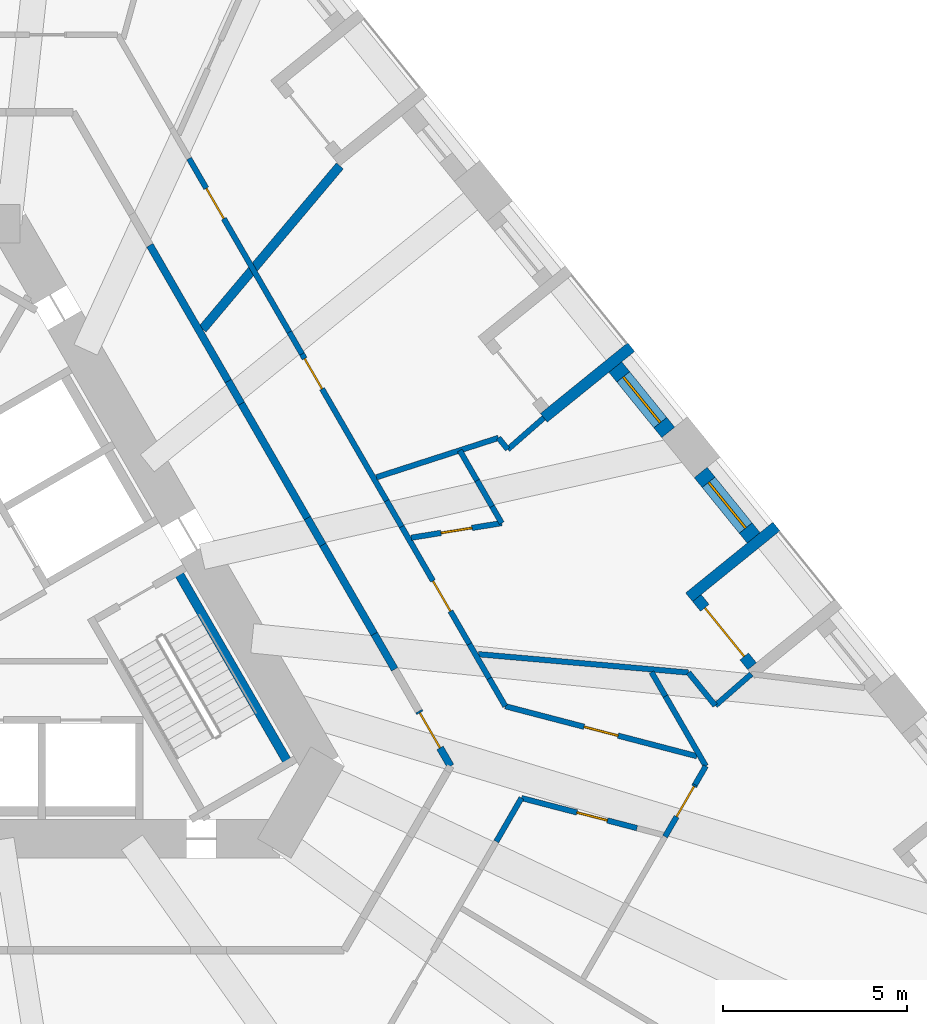
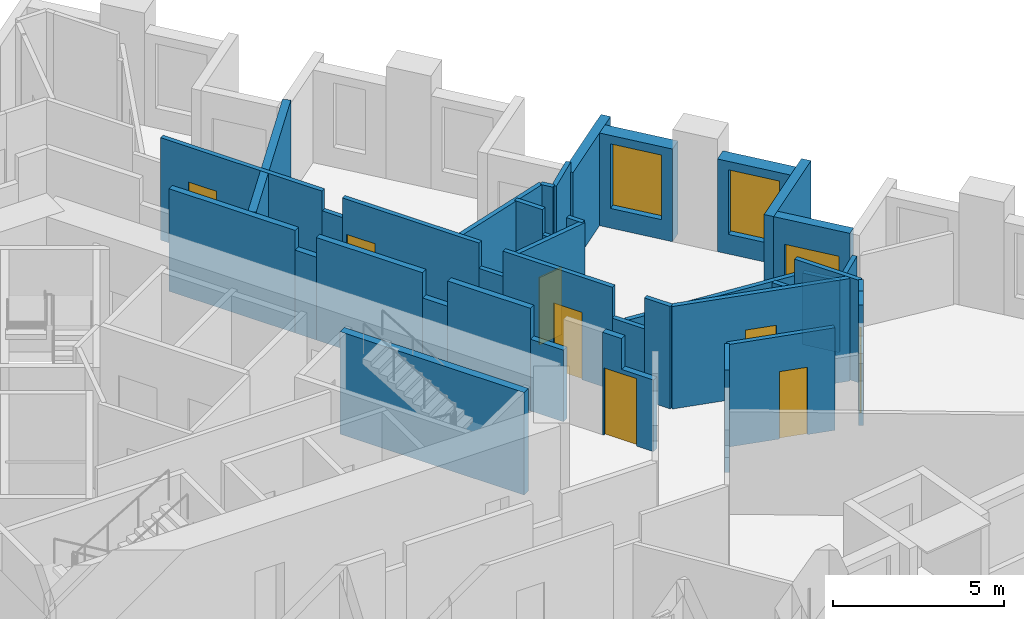
# One storey, part 7 of 14: 38 walls, 9 doors, 2 windows, 11 openings.
"""IFC4 building model written with IfcOpenShell, lengths in metres."""

from ifc_helpers import new_model, si_unit, direction, frame, frame_2d, origin, place, context, subcontext, project, spatial, polyline, rectangle, outline, extrude, material, layer, layer_set, type_object, element, fill, save


model = new_model("IFC4")

# Units and contexts
model_context = context("Model", 3, precision=1e-05, world=origin(), true_north=direction((0.0, 1.0)))
body_context = subcontext(model_context, "Body", "Model", "MODEL_VIEW")
ifc_project = project(units=[si_unit("LENGTHUNIT", "METRE"), si_unit("AREAUNIT", "SQUARE_METRE"), si_unit("VOLUMEUNIT", "CUBIC_METRE"), si_unit("PLANEANGLEUNIT", "RADIAN"), si_unit("MASSUNIT", "GRAM", prefix="KILO")], contexts=[model_context])

# Site, building, storey
site_placement = place(None, origin())
site = spatial("IfcSite", under=ifc_project, at=site_placement, CompositionType="ELEMENT")
building_placement = place(site_placement, origin())
building = spatial("IfcBuilding", under=site, at=building_placement, Name="Tramontana Tower", CompositionType="ELEMENT")
storey_placement = place(building_placement, frame((0.0, 0.0, 63.199951171875)))
storey = spatial("IfcBuildingStorey", under=building, at=storey_placement, Name="L13", CompositionType="ELEMENT", Elevation=63.199951171875)

# Walls
ifc_material_1 = material(Name="Blockwork", Category="masonry")
ifc_layer_1 = layer(ifc_material_1, 0.199951171875)
ifc_layer_set_1 = layer_set([ifc_layer_1], Name="ENTRY WALL 200")
wall_type_1 = type_object("IfcWallType", Name="ENTRY WALL 200", PredefinedType="SOLIDWALL", material=ifc_layer_set_1)
wall_1_placement = place(storey_placement, frame((4.97265625, 9.88720703125, 0.0), z_axis=(0.0, 0.0, 1.0), x_axis=(0.500000470374, -0.866025132214, 0.0)))
element("IfcWall", 1, at=wall_1_placement, inside=storey, type_object=wall_type_1, Name="Wall v11-ew0-2", PredefinedType="SOLIDWALL", context=body_context, shape_type="SweptSolid", body=[
    extrude(rectangle(XDim=4.2568359375, YDim=0.199951171875, at=frame_2d((2.12841796875, 0.0))), origin(), (0.0, 0.0, 1.0), 3.650146484375),
])
wall_2_placement = place(storey_placement, frame((7.10107421875, 6.20068359375, 0.0), z_axis=(0.0, 0.0, 1.0), x_axis=(0.499881507708, -0.866093804534, 0.0)))
element("IfcWall", 2, at=wall_2_placement, inside=storey, type_object=wall_type_1, Name="Wall v11-ew0-3", PredefinedType="SOLIDWALL", context=body_context, shape_type="SweptSolid", body=[
    extrude(rectangle(XDim=0.708740234375, YDim=0.199951171875, at=frame_2d((0.3544921875, 0.0))), origin(), (0.0, 0.0, 1.0), 2.949951171875),
])
wall_3_placement = place(storey_placement, frame((7.455322265625, 5.5869140625, 0.0), z_axis=(0.0, 0.0, 1.0), x_axis=(0.500013241293, -0.866017758786, 0.0)))
element("IfcWall", 3, at=wall_3_placement, inside=storey, type_object=wall_type_1, Name="Wall v11-ew0-4", PredefinedType="SOLIDWALL", context=body_context, shape_type="SweptSolid", body=[
    extrude(rectangle(XDim=3.58544921875, YDim=0.199951171875, at=frame_2d((1.792724609375, 0.0))), origin(), (0.0, 0.0, 1.0), 3.650146484375),
])
wall_4_placement = place(storey_placement, frame((9.248046875, 2.48193359375, 0.0), z_axis=(0.0, 0.0, 1.0), x_axis=(0.500117447933, -0.865957584569, 0.0)))
element("IfcWall", 4, at=wall_4_placement, inside=storey, type_object=wall_type_1, Name="Wall v11-ew0-5", PredefinedType="SOLIDWALL", context=body_context, shape_type="SweptSolid", body=[
    extrude(rectangle(XDim=0.838134765625, YDim=0.199951171875, at=frame_2d((0.4189453125, 0.0))), origin(), (0.0, 0.0, 1.0), 2.75),
])
wall_5_placement = place(storey_placement, frame((9.667236328125, 1.756103515625, 0.0), z_axis=(0.0, 0.0, 1.0), x_axis=(0.499964529649, -0.866045881633, 0.0)))
element("IfcWall", 5, at=wall_5_placement, inside=storey, type_object=wall_type_1, Name="Wall v11-ew0-6", PredefinedType="SOLIDWALL", context=body_context, shape_type="SweptSolid", body=[
    extrude(rectangle(XDim=2.793701171875, YDim=0.199951171875, at=frame_2d((1.39697265625, 0.0))), origin(), (0.0, 0.0, 1.0), 3.650146484375),
])
wall_6_placement = place(storey_placement, frame((11.06396484375, -0.663330078125, 0.0), z_axis=(0.0, 0.0, 1.0), x_axis=(0.499951133605, -0.866053614973, 0.0)))
element("IfcWall", 6, at=wall_6_placement, inside=storey, type_object=wall_type_1, Name="Wall v11-ew0-7", PredefinedType="SOLIDWALL", context=body_context, shape_type="SweptSolid", body=[
    extrude(rectangle(XDim=1.10888671875, YDim=0.199951171875, at=frame_2d((0.554443359375, 0.0))), origin(), (0.0, 0.0, 1.0), 2.550048828125),
])

# Wall, opening, door
wall_7_placement = place(storey_placement, frame((12.274658203125, -2.76025390625, 0.0), z_axis=(0.0, 0.0, 1.0), x_axis=(0.500000921525, -0.866024871741, 0.0)))
wall_7 = element("IfcWall", 7, at=wall_7_placement, inside=storey, type_object=wall_type_1, Name="Wall v11-ew0-9", PredefinedType="SOLIDWALL", context=body_context, shape_type="SweptSolid", body=[
    extrude(outline(polyline([(0.0, 0.0), (1.72021484375, 0.0), (1.72021484375, 2.550048828125), (0.64990234375, 2.550048828125), (0.64990234375, 3.650146484375), (0.0, 3.650146484375), (0.0, 0.0)])), frame((0.0, 0.10009765625, 0.0), z_axis=(0.0, -1.0, 0.0), x_axis=(1.0, 0.0, 0.0)), (0.0, 0.0, 1.0), 0.199951171875),
])
opening_1_placement = place(wall_7_placement, frame((0.050048828125, 0.0, 0.0)))
opening_1 = element("IfcOpeningElement", 8, at=opening_1_placement, cuts=wall_7, Name="Opening B1B-31", PredefinedType="OPENING", context=body_context, shape_type="SweptSolid", body=[
    extrude(rectangle(XDim=1.10009765625, YDim=2.39990234375, at=frame_2d((0.550048828125, 1.199951171875))), frame((0.0, 0.10986328125, 0.0), z_axis=(0.0, -1.0, 0.0), x_axis=(1.0, 0.0, 0.0)), (0.0, 0.0, 1.0), 0.219970703125),
])
ifc_material_2 = material(Name="Painted timber", Category="wood")
door_type_1 = type_object("IfcDoorType", Name="DOOR ENTRY 1100", OperationType="SINGLE_SWING_LEFT", PredefinedType="DOOR", material=ifc_material_2)
door_1_placement = place(opening_1_placement, origin())
door_1 = element("IfcDoor", 9, at=door_1_placement, inside=storey, type_object=door_type_1, Name="Door B1B-31", OperationType="SINGLE_SWING_LEFT", OverallHeight=2.39990234375, OverallWidth=1.10009765625, PredefinedType="DOOR", context=body_context, shape_type="SweptSolid", body=[
    extrude(rectangle(XDim=1.10009765625, YDim=2.39990234375, at=frame_2d((0.550048828125, 1.199951171875))), frame((0.0, 0.02490234375, 0.0), z_axis=(0.0, -1.0, 0.0), x_axis=(1.0, 0.0, 0.0)), (0.0, 0.0, 1.0), 0.050048828125),
])
fill(opening_1, door_1)

# Wall, opening, window
ifc_material_3 = material(Name="Precast concrete 60 MPa", Category="concrete")
ifc_layer_2 = layer(ifc_material_3, 0.449951171875)
ifc_layer_set_2 = layer_set([ifc_layer_2], Name="Precast concrete 60 MPa, 450 mm")
wall_type_2 = type_object("IfcWallType", Name="EW1 Stone-faced precast wall 450", PredefinedType="SOLIDWALL", material=ifc_layer_set_2)
wall_8_placement = place(storey_placement, frame((21.361572265625, 1.94482421875, 0.0), z_axis=(0.0, 0.0, 1.0), x_axis=(-0.629339730135, 0.777130300576, 0.0)))
wall_8 = element("IfcWall", 10, at=wall_8_placement, inside=storey, type_object=wall_type_2, Name="External wall L13 face 2 bay 2", PredefinedType="SOLIDWALL", context=body_context, shape_type="SweptSolid", body=[
    extrude(rectangle(XDim=2.282958984375, YDim=0.449951171875, at=frame_2d((1.1416015625, 0.0))), origin(), (0.0, 0.0, 1.0), 3.300048828125),
])
opening_2_placement = place(wall_8_placement, frame((0.341552734375, 0.0, 0.699951171875)))
opening_2 = element("IfcOpeningElement", 11, at=opening_2_placement, cuts=wall_8, Name="Opening M1", PredefinedType="OPENING", context=body_context, shape_type="SweptSolid", body=[
    extrude(rectangle(XDim=1.60009765625, YDim=2.300048828125, at=frame_2d((0.800048828125, 1.14990234375))), frame((0.0, 0.23486328125, 0.0), z_axis=(0.0, -1.0, 0.0), x_axis=(1.0, 0.0, 0.0)), (0.0, 0.0, 1.0), 0.469970703125),
])
ifc_material_4 = material(Name="Aluminum frame, double glazing unit", Category="aluminium")
window_type = type_object("IfcWindowType", Name="M1 Window 1.6 x 2.3", PartitioningType="SINGLE_PANEL", PredefinedType="WINDOW", material=ifc_material_4)
window_1_placement = place(opening_2_placement, origin())
window_1 = element("IfcWindow", 12, at=window_1_placement, inside=storey, type_object=window_type, Name="Window M1 L13 face 2 module 6", OverallHeight=2.300048828125, OverallWidth=1.60009765625, PartitioningType="SINGLE_PANEL", PredefinedType="WINDOW", context=body_context, shape_type="SweptSolid", body=[
    extrude(rectangle(XDim=1.60009765625, YDim=2.300048828125, at=frame_2d((0.800048828125, 1.14990234375))), frame((0.0, 0.030029296875, 0.0), z_axis=(0.0, -1.0, 0.0), x_axis=(1.0, 0.0, 0.0)), (0.0, 0.0, 1.0), 0.06005859375),
])
fill(opening_2, window_1)

wall_9_placement = place(storey_placement, frame((19.0439453125, 4.80712890625, 0.0), z_axis=(0.0, 0.0, 1.0), x_axis=(-0.629339730135, 0.777130300576, 0.0)))
wall_9 = element("IfcWall", 13, at=wall_9_placement, inside=storey, type_object=wall_type_2, Name="External wall L13 face 2 bay 3", PredefinedType="SOLIDWALL", context=body_context, shape_type="SweptSolid", body=[
    extrude(rectangle(XDim=2.282958984375, YDim=0.449951171875, at=frame_2d((1.1416015625, 0.0))), origin(), (0.0, 0.0, 1.0), 3.300048828125),
])
opening_3_placement = place(wall_9_placement, frame((0.341552734375, 0.0, 0.699951171875)))
opening_3 = element("IfcOpeningElement", 14, at=opening_3_placement, cuts=wall_9, Name="Opening M1", PredefinedType="OPENING", context=body_context, shape_type="SweptSolid", body=[
    extrude(rectangle(XDim=1.60009765625, YDim=2.300048828125, at=frame_2d((0.800048828125, 1.14990234375))), frame((0.0, 0.23486328125, 0.0), z_axis=(0.0, -1.0, 0.0), x_axis=(1.0, 0.0, 0.0)), (0.0, 0.0, 1.0), 0.469970703125),
])
window_2_placement = place(opening_3_placement, origin())
window_2 = element("IfcWindow", 15, at=window_2_placement, inside=storey, type_object=window_type, Name="Window M1 L13 face 2 module 7", OverallHeight=2.300048828125, OverallWidth=1.60009765625, PartitioningType="SINGLE_PANEL", PredefinedType="WINDOW", context=body_context, shape_type="SweptSolid", body=[
    extrude(rectangle(XDim=1.60009765625, YDim=2.300048828125, at=frame_2d((0.800048828125, 1.14990234375))), frame((0.0, 0.030029296875, 0.0), z_axis=(0.0, -1.0, 0.0), x_axis=(1.0, 0.0, 0.0)), (0.0, 0.0, 1.0), 0.06005859375),
])
fill(opening_3, window_2)

# Wall, opening, door
ifc_material_5 = material(Name="Precast concrete 60 MPa", Category="concrete")
ifc_layer_3 = layer(ifc_material_5, 0.300048828125)
ifc_layer_set_3 = layer_set([ifc_layer_3], Name="LW1 Stone-faced loggia wall 300")
wall_type_3 = type_object("IfcWallType", Name="LW1 Stone-faced loggia wall 300", PredefinedType="SOLIDWALL", material=ifc_layer_set_3)
wall_10_placement = place(storey_placement, frame((21.32080078125, -1.54052734375, 0.0), z_axis=(0.0, 0.0, 1.0), x_axis=(-0.629257171563, 0.777197151331, 0.0)))
wall_10 = element("IfcWall", 16, at=wall_10_placement, inside=storey, type_object=wall_type_3, Name="Loggia wall L13 G1S2.4", PredefinedType="SOLIDWALL", context=body_context, shape_type="SweptSolid", body=[
    extrude(rectangle(XDim=2.383056640625, YDim=0.300048828125, at=frame_2d((1.19140625, 0.0))), origin(), (0.0, 0.0, 1.0), 3.300048828125),
])
opening_4_placement = place(wall_10_placement, frame((0.341552734375, 0.0, 0.0)))
opening_4 = element("IfcOpeningElement", 17, at=opening_4_placement, cuts=wall_10, Name="Opening BD-1S2-04", PredefinedType="OPENING", context=body_context, shape_type="SweptSolid", body=[
    extrude(rectangle(XDim=1.699951171875, YDim=2.39990234375, at=frame_2d((0.85009765625, 1.199951171875))), frame((0.0, 0.159912109375, 0.0), z_axis=(0.0, -1.0, 0.0), x_axis=(1.0, 0.0, 0.0)), (0.0, 0.0, 1.0), 0.320068359375),
])
ifc_material_6 = material(Name="Aluminum frame, double glazing unit", Category="aluminium")
door_type_2 = type_object("IfcDoorType", Name="BD1 Sliding door 1.7 x 2.4", OperationType="SLIDING_TO_LEFT", PredefinedType="DOOR", material=ifc_material_6)
door_2_placement = place(opening_4_placement, origin())
door_2 = element("IfcDoor", 18, at=door_2_placement, inside=storey, type_object=door_type_2, Name="Loggia door L13 G1S2.4", OperationType="SLIDING_TO_LEFT", OverallHeight=2.39990234375, OverallWidth=1.699951171875, PredefinedType="DOOR", context=body_context, shape_type="SweptSolid", body=[
    extrude(rectangle(XDim=1.699951171875, YDim=2.39990234375, at=frame_2d((0.85009765625, 1.199951171875))), frame((0.0, 0.02490234375, 0.0), z_axis=(0.0, -1.0, 0.0), x_axis=(1.0, 0.0, 0.0)), (0.0, 0.0, 1.0), 0.050048828125),
])
fill(opening_4, door_2)

# Walls
wall_11_placement = place(storey_placement, frame((21.98046875, 2.2529296875, 0.0), z_axis=(0.0, 0.0, 1.0), x_axis=(-0.777121820661, -0.629350201281, 0.0)))
element("IfcWall", 19, at=wall_11_placement, inside=storey, type_object=wall_type_3, Name="Loggia return L13 G1S2.4b", PredefinedType="SOLIDWALL", context=body_context, shape_type="SweptSolid", body=[
    extrude(rectangle(XDim=3.0498046875, YDim=0.300048828125, at=frame_2d((1.52490234375, 0.0))), origin(), (0.0, 0.0, 1.0), 3.300048828125),
])
wall_12_placement = place(storey_placement, frame((18.037353515625, 7.12255859375, 0.0), z_axis=(0.0, 0.0, 1.0), x_axis=(-0.777153523895, -0.629311052102, 0.0)))
element("IfcWall", 20, at=wall_12_placement, inside=storey, type_object=wall_type_3, Name="Loggia return L13 G1S2.7a", PredefinedType="SOLIDWALL", context=body_context, shape_type="SweptSolid", body=[
    extrude(rectangle(XDim=3.050048828125, YDim=0.300048828125, at=frame_2d((1.52490234375, 0.0))), origin(), (0.0, 0.0, 1.0), 3.300048828125),
])

# Wall, opening, door
ifc_material_7 = material(Name="Gypsum board partition")
ifc_layer_4 = layer(ifc_material_7, 0.14990234375)
ifc_layer_set_4 = layer_set([ifc_layer_4], Name="PARTITION 150")
wall_type_4 = type_object("IfcWallType", Name="PARTITION 150", PredefinedType="PARTITIONING", material=ifc_layer_set_4)
wall_13_placement = place(storey_placement, frame((6.038330078125, 12.241455078125, 0.0), z_axis=(0.0, 0.0, 1.0), x_axis=(0.500003308737, -0.866023493476, 0.0)))
wall_13 = element("IfcWall", 21, at=wall_13_placement, inside=storey, type_object=wall_type_4, Name="Wall v11-pw35-2", PredefinedType="PARTITIONING", context=body_context, shape_type="SweptSolid", body=[
    extrude(rectangle(XDim=5.44287109375, YDim=0.14990234375, at=frame_2d((2.721435546875, 0.0))), origin(), (0.0, 0.0, 1.0), 3.650146484375),
])
opening_5_placement = place(wall_13_placement, frame((0.932861328125, 0.0, 0.0)))
opening_5 = element("IfcOpeningElement", 22, at=opening_5_placement, cuts=wall_13, Name="Opening B1B-05", PredefinedType="OPENING", context=body_context, shape_type="SweptSolid", body=[
    extrude(rectangle(XDim=0.949951171875, YDim=2.39990234375, at=frame_2d((0.47509765625, 1.199951171875))), frame((0.0, 0.0849609375, 0.0), z_axis=(0.0, -1.0, 0.0), x_axis=(1.0, 0.0, 0.0)), (0.0, 0.0, 1.0), 0.169921875),
])
ifc_material_8 = material(Name="Painted timber", Category="wood")
door_type_3 = type_object("IfcDoorType", Name="DOOR ROOM 950", OperationType="SINGLE_SWING_LEFT", PredefinedType="DOOR", material=ifc_material_8)
door_3_placement = place(opening_5_placement, origin())
door_3 = element("IfcDoor", 23, at=door_3_placement, inside=storey, type_object=door_type_3, Name="Door B1B-05", OperationType="SINGLE_SWING_LEFT", OverallHeight=2.39990234375, OverallWidth=0.949951171875, PredefinedType="DOOR", context=body_context, shape_type="SweptSolid", body=[
    extrude(rectangle(XDim=0.949951171875, YDim=2.39990234375, at=frame_2d((0.47509765625, 1.199951171875))), frame((0.0, 0.02490234375, 0.0), z_axis=(0.0, -1.0, 0.0), x_axis=(1.0, 0.0, 0.0)), (0.0, 0.0, 1.0), 0.050048828125),
])
fill(opening_5, door_3)

# Wall
wall_14_placement = place(storey_placement, frame((8.759765625, 7.52783203125, 0.0), z_axis=(0.0, 0.0, 1.0), x_axis=(0.499712146016, -0.866191532586, 0.0)))
element("IfcWall", 24, at=wall_14_placement, inside=storey, type_object=wall_type_4, Name="Wall v11-pw35-3", PredefinedType="PARTITIONING", context=body_context, shape_type="SweptSolid", body=[
    extrude(rectangle(XDim=0.68359375, YDim=0.14990234375, at=frame_2d((0.341796875, 0.0))), origin(), (0.0, 0.0, 1.0), 2.949951171875),
])

# Wall, opening, door
wall_15_placement = place(storey_placement, frame((9.101318359375, 6.935791015625, 0.0), z_axis=(0.0, 0.0, 1.0), x_axis=(0.500008794324, -0.866020326319, 0.0)))
wall_15 = element("IfcWall", 25, at=wall_15_placement, inside=storey, type_object=wall_type_4, Name="Wall v11-pw35-4", PredefinedType="PARTITIONING", context=body_context, shape_type="SweptSolid", body=[
    extrude(rectangle(XDim=4.6005859375, YDim=0.14990234375, at=frame_2d((2.30029296875, 0.0))), origin(), (0.0, 0.0, 1.0), 3.650146484375),
])
opening_6_placement = place(wall_15_placement, frame((0.14306640625, 0.0, 0.0)))
opening_6 = element("IfcOpeningElement", 26, at=opening_6_placement, cuts=wall_15, Name="Opening B1B-26", PredefinedType="OPENING", context=body_context, shape_type="SweptSolid", body=[
    extrude(rectangle(XDim=0.949951171875, YDim=2.39990234375, at=frame_2d((0.47509765625, 1.199951171875))), frame((0.0, 0.0849609375, 0.0), z_axis=(0.0, -1.0, 0.0), x_axis=(1.0, 0.0, 0.0)), (0.0, 0.0, 1.0), 0.169921875),
])
door_4_placement = place(opening_6_placement, origin())
door_4 = element("IfcDoor", 27, at=door_4_placement, inside=storey, type_object=door_type_3, Name="Door B1B-26", OperationType="SINGLE_SWING_RIGHT", OverallHeight=2.39990234375, OverallWidth=0.949951171875, PredefinedType="DOOR", context=body_context, shape_type="SweptSolid", body=[
    extrude(rectangle(XDim=0.949951171875, YDim=2.39990234375, at=frame_2d((0.47509765625, 1.199951171875))), frame((0.0, 0.02490234375, 0.0), z_axis=(0.0, -1.0, 0.0), x_axis=(1.0, 0.0, 0.0)), (0.0, 0.0, 1.0), 0.050048828125),
])
fill(opening_6, door_4)

# Wall
wall_16_placement = place(storey_placement, frame((11.401611328125, 2.95166015625, 0.0), z_axis=(0.0, 0.0, 1.0), x_axis=(0.500147393723, -0.865940289253, 0.0)))
element("IfcWall", 28, at=wall_16_placement, inside=storey, type_object=wall_type_4, Name="Wall v11-pw35-5", PredefinedType="PARTITIONING", context=body_context, shape_type="SweptSolid", body=[
    extrude(rectangle(XDim=0.812255859375, YDim=0.14990234375, at=frame_2d((0.40625, 0.0))), origin(), (0.0, 0.0, 1.0), 2.75),
])

# Wall, opening, door
wall_17_placement = place(storey_placement, frame((11.807861328125, 2.248291015625, 0.0), z_axis=(0.0, 0.0, 1.0), x_axis=(0.500002145574, -0.866024165033, 0.0)))
wall_17 = element("IfcWall", 29, at=wall_17_placement, inside=storey, type_object=wall_type_4, Name="Wall v11-pw35-6", PredefinedType="PARTITIONING", context=body_context, shape_type="SweptSolid", body=[
    extrude(rectangle(XDim=3.67724609375, YDim=0.14990234375, at=frame_2d((1.838623046875, 0.0))), origin(), (0.0, 0.0, 1.0), 3.650146484375),
])
opening_7_placement = place(wall_17_placement, frame((1.69970703125, 0.0, 0.0)))
opening_7 = element("IfcOpeningElement", 30, at=opening_7_placement, cuts=wall_17, Name="Opening B1B-25", PredefinedType="OPENING", context=body_context, shape_type="SweptSolid", body=[
    extrude(rectangle(XDim=0.949951171875, YDim=2.39990234375, at=frame_2d((0.47509765625, 1.199951171875))), frame((0.0, 0.0849609375, 0.0), z_axis=(0.0, -1.0, 0.0), x_axis=(1.0, 0.0, 0.0)), (0.0, 0.0, 1.0), 0.169921875),
])
door_5_placement = place(opening_7_placement, origin())
door_5 = element("IfcDoor", 31, at=door_5_placement, inside=storey, type_object=door_type_3, Name="Door B1B-25", OperationType="SINGLE_SWING_LEFT", OverallHeight=2.39990234375, OverallWidth=0.949951171875, PredefinedType="DOOR", context=body_context, shape_type="SweptSolid", body=[
    extrude(rectangle(XDim=0.949951171875, YDim=2.39990234375, at=frame_2d((0.47509765625, 1.199951171875))), frame((0.0, 0.02490234375, 0.0), z_axis=(0.0, -1.0, 0.0), x_axis=(1.0, 0.0, 0.0)), (0.0, 0.0, 1.0), 0.050048828125),
])
fill(opening_7, door_5)

# Walls
wall_18_placement = place(storey_placement, frame((13.646484375, -0.936279296875, 0.0), z_axis=(0.0, 0.0, 1.0), x_axis=(0.499938053331, -0.866061165757, 0.0)))
element("IfcWall", 32, at=wall_18_placement, inside=storey, type_object=wall_type_4, Name="Wall v11-pw35-7", PredefinedType="PARTITIONING", context=body_context, shape_type="SweptSolid", body=[
    extrude(rectangle(XDim=1.078369140625, YDim=0.14990234375, at=frame_2d((0.5390625, 0.0))), origin(), (0.0, 0.0, 1.0), 2.550048828125),
])
wall_19_placement = place(storey_placement, frame((14.185546875, -1.8701171875, 0.0), z_axis=(0.0, 0.0, 1.0), x_axis=(0.500053675867, -0.86599441179, 0.0)))
element("IfcWall", 33, at=wall_19_placement, inside=storey, type_object=wall_type_4, Name="Wall v11-pw35-8", PredefinedType="PARTITIONING", context=body_context, shape_type="SweptSolid", body=[
    extrude(rectangle(XDim=0.8720703125, YDim=0.14990234375, at=frame_2d((0.43603515625, 0.0))), origin(), (0.0, 0.0, 1.0), 3.650146484375),
])
wall_20_placement = place(storey_placement, frame((11.120361328125, 3.5888671875, 0.0), z_axis=(0.0, 0.0, 1.0), x_axis=(0.951681527344, 0.307086747536, 0.0)))
element("IfcWall", 34, at=wall_20_placement, inside=storey, type_object=wall_type_4, Name="Wall v11-pw42", PredefinedType="PARTITIONING", context=body_context, shape_type="SweptSolid", body=[
    extrude(rectangle(XDim=3.48291015625, YDim=0.14990234375, at=frame_2d((1.741455078125, 0.0))), origin(), (0.0, 0.0, 1.0), 3.650146484375),
])
wall_21_placement = place(storey_placement, frame((13.384765625, 4.31689453125, 0.0), z_axis=(0.0, 0.0, 1.0), x_axis=(0.499931951619, -0.866064687971, 0.0)))
element("IfcWall", 35, at=wall_21_placement, inside=storey, type_object=wall_type_4, Name="Wall v11-pw45-0", PredefinedType="PARTITIONING", context=body_context, shape_type="SweptSolid", body=[
    extrude(rectangle(XDim=0.941650390625, YDim=0.14990234375, at=frame_2d((0.470703125, 0.0))), origin(), (0.0, 0.0, 1.0), 3.650146484375),
])
wall_22_placement = place(storey_placement, frame((13.85546875, 3.50146484375, 0.0), z_axis=(0.0, 0.0, 1.0), x_axis=(0.500147393723, -0.865940289253, 0.0)))
element("IfcWall", 36, at=wall_22_placement, inside=storey, type_object=wall_type_4, Name="Wall v11-pw45-1", PredefinedType="PARTITIONING", context=body_context, shape_type="SweptSolid", body=[
    extrude(rectangle(XDim=0.812255859375, YDim=0.14990234375, at=frame_2d((0.40625, 0.0))), origin(), (0.0, 0.0, 1.0), 2.75),
])
wall_23_placement = place(storey_placement, frame((14.26171875, 2.798095703125, 0.0), z_axis=(0.0, 0.0, 1.0), x_axis=(0.499803250953, -0.866138967104, 0.0)))
element("IfcWall", 37, at=wall_23_placement, inside=storey, type_object=wall_type_4, Name="Wall v11-pw45-2", PredefinedType="PARTITIONING", context=body_context, shape_type="SweptSolid", body=[
    extrude(rectangle(XDim=0.523193359375, YDim=0.14990234375, at=frame_2d((0.26171875, 0.0))), origin(), (0.0, 0.0, 1.0), 3.650146484375),
])
wall_24_placement = place(storey_placement, frame((13.892822265625, -1.213134765625, 0.0), z_axis=(0.0, 0.0, 1.0), x_axis=(0.996208015501, -0.087003389883, 0.0)))
element("IfcWall", 38, at=wall_24_placement, inside=storey, type_object=wall_type_4, Name="Wall v11-pw46-0", PredefinedType="PARTITIONING", context=body_context, shape_type="SweptSolid", body=[
    extrude(rectangle(XDim=5.7216796875, YDim=0.14990234375, at=frame_2d((2.86083984375, 0.0))), origin(), (0.0, 0.0, 1.0), 2.550048828125),
])
wall_25_placement = place(storey_placement, frame((14.43505859375, 4.658447265625, 0.0), z_axis=(0.0, 0.0, 1.0), x_axis=(0.629443838756, -0.777045979239, 0.0)))
element("IfcWall", 39, at=wall_25_placement, inside=storey, type_object=wall_type_4, Name="Wall v11-pw47", PredefinedType="PARTITIONING", context=body_context, shape_type="SweptSolid", body=[
    extrude(rectangle(XDim=0.400390625, YDim=0.14990234375, at=frame_2d((0.2001953125, 0.0))), origin(), (0.0, 0.0, 1.0), 3.650146484375),
])

# Wall, opening, door
wall_26_placement = place(storey_placement, frame((12.067626953125, 1.948486328125, 0.0), z_axis=(0.0, 0.0, 1.0), x_axis=(0.987214229288, 0.159399076194, 0.0)))
wall_26 = element("IfcWall", 40, at=wall_26_placement, inside=storey, type_object=wall_type_4, Name="Wall v11-pw48", PredefinedType="PARTITIONING", context=body_context, shape_type="SweptSolid", body=[
    extrude(rectangle(XDim=2.4873046875, YDim=0.14990234375, at=frame_2d((1.24365234375, 0.0))), origin(), (0.0, 0.0, 1.0), 3.650146484375),
])
opening_8_placement = place(wall_26_placement, frame((0.81884765625, 0.0, 0.0)))
opening_8 = element("IfcOpeningElement", 41, at=opening_8_placement, cuts=wall_26, Name="Opening B1B-28", PredefinedType="OPENING", context=body_context, shape_type="SweptSolid", body=[
    extrude(rectangle(XDim=0.85009765625, YDim=2.39990234375, at=frame_2d((0.425048828125, 1.199951171875))), frame((0.0, 0.0849609375, 0.0), z_axis=(0.0, -1.0, 0.0), x_axis=(1.0, 0.0, 0.0)), (0.0, 0.0, 1.0), 0.169921875),
])
ifc_material_9 = material(Name="Painted timber", Category="wood")
door_type_4 = type_object("IfcDoorType", Name="DOOR BATH 850", OperationType="SINGLE_SWING_LEFT", PredefinedType="DOOR", material=ifc_material_9)
door_6_placement = place(opening_8_placement, origin())
door_6 = element("IfcDoor", 42, at=door_6_placement, inside=storey, type_object=door_type_4, Name="Door B1B-28", OperationType="SINGLE_SWING_RIGHT", OverallHeight=2.39990234375, OverallWidth=0.85009765625, PredefinedType="DOOR", context=body_context, shape_type="SweptSolid", body=[
    extrude(rectangle(XDim=0.85009765625, YDim=2.39990234375, at=frame_2d((0.425048828125, 1.199951171875))), frame((0.0, 0.02490234375, 0.0), z_axis=(0.0, -1.0, 0.0), x_axis=(1.0, 0.0, 0.0)), (0.0, 0.0, 1.0), 0.050048828125),
])
fill(opening_8, door_6)

wall_27_placement = place(storey_placement, frame((14.62158203125, -2.625244140625, 0.0), z_axis=(0.0, 0.0, 1.0), x_axis=(0.967617272397, -0.252421897147, 0.0)))
wall_27 = element("IfcWall", 43, at=wall_27_placement, inside=storey, type_object=wall_type_4, Name="Wall v11-pw49", PredefinedType="PARTITIONING", context=body_context, shape_type="SweptSolid", body=[
    extrude(rectangle(XDim=5.373779296875, YDim=0.14990234375, at=frame_2d((2.68701171875, 0.0))), origin(), (0.0, 0.0, 1.0), 3.650146484375),
])
opening_9_placement = place(wall_27_placement, frame((2.2119140625, 0.0, 0.0)))
opening_9 = element("IfcOpeningElement", 44, at=opening_9_placement, cuts=wall_27, Name="Opening B1B-20", PredefinedType="OPENING", context=body_context, shape_type="SweptSolid", body=[
    extrude(rectangle(XDim=0.949951171875, YDim=2.39990234375, at=frame_2d((0.47509765625, 1.199951171875))), frame((0.0, 0.0849609375, 0.0), z_axis=(0.0, -1.0, 0.0), x_axis=(1.0, 0.0, 0.0)), (0.0, 0.0, 1.0), 0.169921875),
])
door_7_placement = place(opening_9_placement, origin())
door_7 = element("IfcDoor", 45, at=door_7_placement, inside=storey, type_object=door_type_3, Name="Door B1B-20", OperationType="SINGLE_SWING_RIGHT", OverallHeight=2.39990234375, OverallWidth=0.949951171875, PredefinedType="DOOR", context=body_context, shape_type="SweptSolid", body=[
    extrude(rectangle(XDim=0.949951171875, YDim=2.39990234375, at=frame_2d((0.47509765625, 1.199951171875))), frame((0.0, 0.02490234375, 0.0), z_axis=(0.0, -1.0, 0.0), x_axis=(1.0, 0.0, 0.0)), (0.0, 0.0, 1.0), 0.050048828125),
])
fill(opening_9, door_7)

# Walls
wall_28_placement = place(storey_placement, frame((14.689697265625, 4.34716796875, 0.0), z_axis=(0.0, 0.0, 1.0), x_axis=(0.75226229256, 0.658863751615, 0.0)))
element("IfcWall", 46, at=wall_28_placement, inside=storey, type_object=wall_type_4, Name="Wall v11-pw50", PredefinedType="PARTITIONING", context=body_context, shape_type="SweptSolid", body=[
    extrude(rectangle(XDim=1.299072265625, YDim=0.14990234375, at=frame_2d((0.6494140625, 0.0))), origin(), (0.0, 0.0, 1.0), 3.650146484375),
])
wall_29_placement = place(storey_placement, frame((15.059326171875, -5.116455078125, 0.0), z_axis=(0.0, 0.0, 1.0), x_axis=(-0.500032730183, -0.86600650618, 0.0)))
element("IfcWall", 47, at=wall_29_placement, inside=storey, type_object=wall_type_4, Name="Wall v11-pw51-0", PredefinedType="PARTITIONING", context=body_context, shape_type="SweptSolid", body=[
    extrude(rectangle(XDim=1.3623046875, YDim=0.14990234375, at=frame_2d((0.68115234375, 0.0))), origin(), (0.0, 0.0, 1.0), 3.650146484375),
])
wall_30_placement = place(storey_placement, frame((18.58984375, -1.698486328125, 0.0), z_axis=(0.0, 0.0, 1.0), x_axis=(0.500105127418, -0.865964699933, 0.0)))
element("IfcWall", 48, at=wall_30_placement, inside=storey, type_object=wall_type_4, Name="Wall v11-pw52-0", PredefinedType="PARTITIONING", context=body_context, shape_type="SweptSolid", body=[
    extrude(rectangle(XDim=0.754638671875, YDim=0.14990234375, at=frame_2d((0.37744140625, 0.0))), origin(), (0.0, 0.0, 1.0), 2.550048828125),
])
wall_31_placement = place(storey_placement, frame((18.96728515625, -2.35205078125, 0.0), z_axis=(0.0, 0.0, 1.0), x_axis=(0.499973180286, -0.8660408876, 0.0)))
element("IfcWall", 49, at=wall_31_placement, inside=storey, type_object=wall_type_4, Name="Wall v11-pw52-1", PredefinedType="PARTITIONING", context=body_context, shape_type="SweptSolid", body=[
    extrude(rectangle(XDim=2.19140625, YDim=0.14990234375, at=frame_2d((1.095703125, 0.0))), origin(), (0.0, 0.0, 1.0), 3.650146484375),
])

# Wall, opening, door
wall_32_placement = place(storey_placement, frame((18.195068359375, -5.934326171875, 0.0), z_axis=(0.0, 0.0, 1.0), x_axis=(-0.96762847199, 0.252378961474, 0.0)))
wall_32 = element("IfcWall", 50, at=wall_32_placement, inside=storey, type_object=wall_type_4, Name="Wall v11-pw53-1", PredefinedType="PARTITIONING", context=body_context, shape_type="SweptSolid", body=[
    extrude(rectangle(XDim=3.24072265625, YDim=0.14990234375, at=frame_2d((1.620361328125, 0.0))), origin(), (0.0, 0.0, 1.0), 3.650146484375),
])
opening_10_placement = place(wall_32_placement, frame((0.832275390625, 0.0, 0.0)))
opening_10 = element("IfcOpeningElement", 51, at=opening_10_placement, cuts=wall_32, Name="Opening B1B-21", PredefinedType="OPENING", context=body_context, shape_type="SweptSolid", body=[
    extrude(rectangle(XDim=0.85009765625, YDim=2.39990234375, at=frame_2d((0.425048828125, 1.199951171875))), frame((0.0, 0.0849609375, 0.0), z_axis=(0.0, -1.0, 0.0), x_axis=(1.0, 0.0, 0.0)), (0.0, 0.0, 1.0), 0.169921875),
])
door_8_placement = place(opening_10_placement, origin())
door_8 = element("IfcDoor", 52, at=door_8_placement, inside=storey, type_object=door_type_4, Name="Door B1B-21", OperationType="SINGLE_SWING_LEFT", OverallHeight=2.39990234375, OverallWidth=0.85009765625, PredefinedType="DOOR", context=body_context, shape_type="SweptSolid", body=[
    extrude(rectangle(XDim=0.85009765625, YDim=2.39990234375, at=frame_2d((0.425048828125, 1.199951171875))), frame((0.0, 0.02490234375, 0.0), z_axis=(0.0, -1.0, 0.0), x_axis=(1.0, 0.0, 0.0)), (0.0, 0.0, 1.0), 0.050048828125),
])
fill(opening_10, door_8)

# Walls
wall_33_placement = place(storey_placement, frame((19.5927734375, -1.7109375, 0.0), z_axis=(0.0, 0.0, 1.0), x_axis=(0.629356548681, -0.777116680192, 0.0)))
element("IfcWall", 53, at=wall_33_placement, inside=storey, type_object=wall_type_4, Name="Wall v11-pw54-0", PredefinedType="PARTITIONING", context=body_context, shape_type="SweptSolid", body=[
    extrude(rectangle(XDim=1.1533203125, YDim=0.14990234375, at=frame_2d((0.57666015625, 0.0))), origin(), (0.0, 0.0, 1.0), 2.550048828125),
])
wall_34_placement = place(storey_placement, frame((20.06298828125, -4.25, 0.0), z_axis=(0.0, 0.0, 1.0), x_axis=(-0.500312357489, -0.865844988981, 0.0)))
element("IfcWall", 54, at=wall_34_placement, inside=storey, type_object=wall_type_4, Name="Wall v11-pw55-0", PredefinedType="PARTITIONING", context=body_context, shape_type="SweptSolid", body=[
    extrude(rectangle(XDim=0.585205078125, YDim=0.14990234375, at=frame_2d((0.29248046875, 0.0))), origin(), (0.0, 0.0, 1.0), 3.650146484375),
])

# Wall, opening, door
wall_35_placement = place(storey_placement, frame((19.770263671875, -4.756591796875, 0.0), z_axis=(0.0, 0.0, 1.0), x_axis=(-0.499952193351, -0.866053003207, 0.0)))
wall_35 = element("IfcWall", 55, at=wall_35_placement, inside=storey, type_object=wall_type_4, Name="Wall v11-pw55-1", PredefinedType="PARTITIONING", context=body_context, shape_type="SweptSolid", body=[
    extrude(outline(polyline([(0.0, 0.0), (1.625244140625, 0.0), (1.625, 2.550048828125), (0.72607421875, 2.550048828125), (0.72607421875, 3.650146484375), (0.0, 3.650146484375), (0.0, 0.0)])), frame((0.0, 0.074951171875, 0.0), z_axis=(0.0, -1.0, 0.0), x_axis=(1.0, 0.0, 0.0)), (0.0, 0.0, 1.0), 0.14990234375),
])
opening_11_placement = place(wall_35_placement, frame((0.050048828125, 0.0, 0.0)))
opening_11 = element("IfcOpeningElement", 56, at=opening_11_placement, cuts=wall_35, Name="Opening B1B-22", PredefinedType="OPENING", context=body_context, shape_type="SweptSolid", body=[
    extrude(rectangle(XDim=0.949951171875, YDim=2.39990234375, at=frame_2d((0.47509765625, 1.199951171875))), frame((0.0, 0.0849609375, 0.0), z_axis=(0.0, -1.0, 0.0), x_axis=(1.0, 0.0, 0.0)), (0.0, 0.0, 1.0), 0.169921875),
])
door_9_placement = place(opening_11_placement, origin())
door_9 = element("IfcDoor", 57, at=door_9_placement, inside=storey, type_object=door_type_3, Name="Door B1B-22", OperationType="SINGLE_SWING_RIGHT", OverallHeight=2.39990234375, OverallWidth=0.949951171875, PredefinedType="DOOR", context=body_context, shape_type="SweptSolid", body=[
    extrude(rectangle(XDim=0.949951171875, YDim=2.39990234375, at=frame_2d((0.47509765625, 1.199951171875))), frame((0.0, 0.02490234375, 0.0), z_axis=(0.0, -1.0, 0.0), x_axis=(1.0, 0.0, 0.0)), (0.0, 0.0, 1.0), 0.050048828125),
])
fill(opening_11, door_9)

# Walls
wall_36_placement = place(storey_placement, frame((20.321533203125, -2.607421875, 0.0), z_axis=(0.0, 0.0, 1.0), x_axis=(0.75226229256, 0.658863751615, 0.0)))
element("IfcWall", 58, at=wall_36_placement, inside=storey, type_object=wall_type_4, Name="Wall v11-pw56-0", PredefinedType="PARTITIONING", context=body_context, shape_type="SweptSolid", body=[
    extrude(rectangle(XDim=1.299072265625, YDim=0.14990234375, at=frame_2d((0.6494140625, 0.0))), origin(), (0.0, 0.0, 1.0), 2.550048828125),
])
ifc_material_10 = material(Name="Blockwork", Category="masonry")
ifc_layer_5 = layer(ifc_material_10, 0.25)
ifc_layer_set_5 = layer_set([ifc_layer_5], Name="PARTY WALL 250")
wall_type_5 = type_object("IfcWallType", Name="PARTY WALL 250", PredefinedType="SOLIDWALL", material=ifc_layer_set_5)
wall_37_placement = place(storey_placement, frame((10.129638671875, 12.041259765625, 0.0), z_axis=(0.0, 0.0, 1.0), x_axis=(-0.643752614762, -0.76523367084, 0.0)))
element("IfcWall", 59, at=wall_37_placement, inside=storey, type_object=wall_type_5, Name="Wall v11-pw41", PredefinedType="SOLIDWALL", context=body_context, shape_type="SweptSolid", body=[
    extrude(rectangle(XDim=5.7900390625, YDim=0.25, at=frame_2d((2.89501953125, 0.0))), origin(), (0.0, 0.0, 1.0), 3.650146484375),
])
ifc_material_11 = material(Name="Concrete 70 MPa", Category="concrete")
ifc_layer_6 = layer(ifc_material_11, 0.25)
ifc_layer_set_6 = layer_set([ifc_layer_6], Name="Concrete 70 MPa, 250 mm")
wall_type_6 = type_object("IfcWallType", Name="RC SHAFT BACK WALL 250", PredefinedType="SOLIDWALL", material=ifc_layer_set_6)
wall_38_placement = place(storey_placement, frame((8.781494140625, -4.260009765625, 0.0), z_axis=(0.0, 0.0, 1.0), x_axis=(-0.500009909098, 0.866019682689, 0.0)))
element("IfcWall", 60, at=wall_38_placement, inside=storey, type_object=wall_type_6, Name="Wall st3-back", PredefinedType="SOLIDWALL", context=body_context, shape_type="SweptSolid", body=[
    extrude(rectangle(XDim=6.199951171875, YDim=0.25, at=frame_2d((3.10009765625, 0.0))), origin(), (0.0, 0.0, 1.0), 3.650146484375),
])

save(model, "model.ifc")
